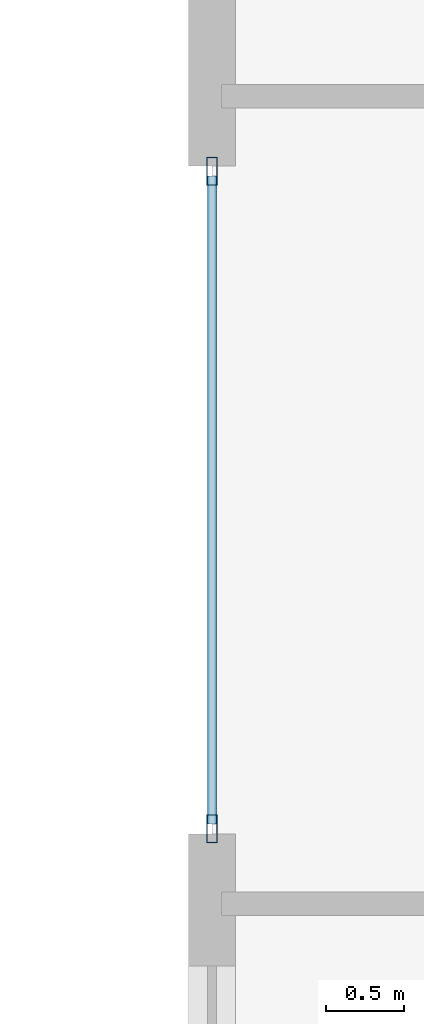
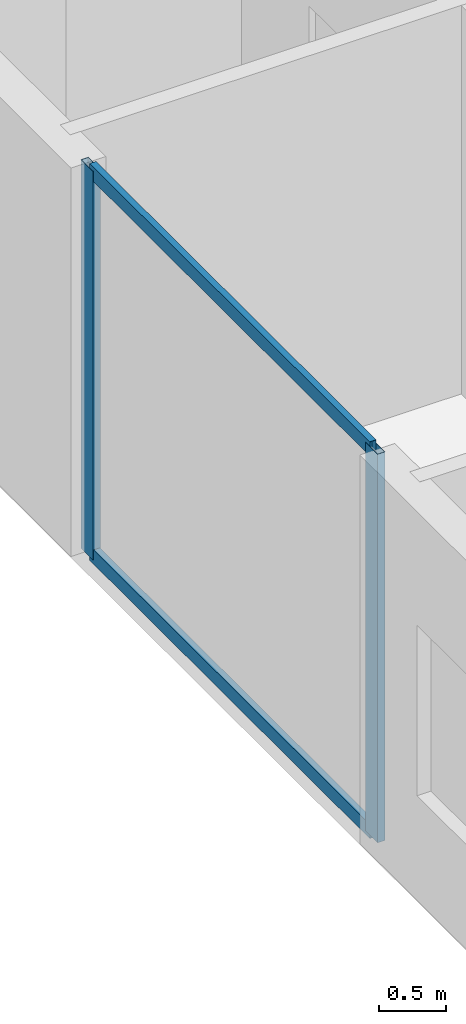
# One storey, part 4 of 32: 4 members, 1 element without a shape of its own.
"""IFC4 building model written with IfcOpenShell, lengths in metres."""

from ifc_helpers import new_model, si_unit, direction, frame, origin, origin_2d, place, context, subcontext, project, spatial, hollow_rectangle, extrude, material, layer, layer_set, material_profile, profile_set, type_object, element, aggregate, save


model = new_model("IFC4")

# Units and contexts
model_context = context("Model", 3, precision=1e-05, world=origin(), true_north=direction((0.0, 1.0)))
body_context = subcontext(model_context, "Body", "Model", "MODEL_VIEW")
ifc_project = project(units=[si_unit("LENGTHUNIT", "METRE"), si_unit("AREAUNIT", "SQUARE_METRE"), si_unit("VOLUMEUNIT", "CUBIC_METRE"), si_unit("PLANEANGLEUNIT", "RADIAN"), si_unit("MASSUNIT", "GRAM", prefix="KILO")], contexts=[model_context])

# Site, building, storey
site_placement = place(None, origin())
site = spatial("IfcSite", under=ifc_project, at=site_placement, CompositionType="ELEMENT")
building_placement = place(site_placement, origin())
building = spatial("IfcBuilding", under=site, at=building_placement, Name="Zuhayl Quay Hotel", CompositionType="ELEMENT")
storey_placement = place(building_placement, frame((0.0, 0.0, 196.14990234375)))
storey = spatial("IfcBuildingStorey", under=building, at=storey_placement, Name="L49", CompositionType="ELEMENT", Elevation=196.14990234375)

# Curtain wall, members
ifc_material_1 = material(Name="Anodised Aluminium 6063-T6", Category="aluminium")
ifc_layer = layer(ifc_material_1, 0.175048828125, Name="Anodised Aluminium 6063-T6", Category="aluminium")
ifc_layer_set = layer_set([ifc_layer], Name="Anodised Aluminium 6063-T6")
curtain_wall_type = type_object("IfcCurtainWallType", Name="CW_SYS_Z3", PredefinedType="USERDEFINED", material=ifc_layer_set)
curtain_wall_placement = place(storey_placement, origin())
curtain_wall = element("IfcCurtainWall", 1, at=curtain_wall_placement, inside=storey, type_object=curtain_wall_type, Name="L49 Curtain Wall ENV_L49_E02_CW1", ObjectType="UNITISED CURTAIN WALL", PredefinedType="USERDEFINED")
ifc_material_2 = material(Name="Black-anodised aluminium 6063-T6", Category="aluminium")
ifc_material_profile_1 = material_profile(ifc_material_2, hollow_rectangle(XDim=0.06494140625, YDim=0.179931640625, WallThickness=0.00341796875, at=origin_2d()), Name="ALU180X65")
ifc_profile_set_1 = profile_set([ifc_material_profile_1], Name="Black-anodised aluminium 6063-T6")
member_type_1 = type_object("IfcMemberType", Name="MB_CW_MUL_180", PredefinedType="MULLION", material=ifc_profile_set_1)
member_1_placement = place(storey_placement, frame((-22.10009765625, 2.032470703125, 0.0), z_axis=(0.0, 0.0, 1.0), x_axis=(-1.0, 0.0, 0.0)))
member_1 = element("IfcMember", 2, at=member_1_placement, type_object=member_type_1, Name="CW-Z3 mullion 1", PredefinedType="MULLION", context=body_context, shape_type="SweptSolid", body=[
    extrude(hollow_rectangle(XDim=0.06494140625, YDim=0.179931640625, WallThickness=0.00341796875, at=origin_2d()), origin(), (0.0, 0.0, 1.0), 3.530029296875),
])
member_2_placement = place(storey_placement, frame((-22.10009765625, 6.267578125, 0.0), z_axis=(0.0, 0.0, 1.0), x_axis=(-1.0, 0.0, 0.0)))
member_2 = element("IfcMember", 3, at=member_2_placement, type_object=member_type_1, Name="CW-Z3 mullion 2", PredefinedType="MULLION", context=body_context, shape_type="SweptSolid", body=[
    extrude(hollow_rectangle(XDim=0.06494140625, YDim=0.179931640625, WallThickness=0.00341796875, at=origin_2d()), origin(), (0.0, 0.0, 1.0), 3.530029296875),
])
ifc_material_profile_2 = material_profile(ifc_material_2, hollow_rectangle(XDim=0.054931640625, YDim=0.1298828125, WallThickness=0.0029296875, at=origin_2d()), Name="ALU130X55")
ifc_profile_set_2 = profile_set([ifc_material_profile_2], Name="Black-anodised aluminium 6063-T6")
member_type_2 = type_object("IfcMemberType", Name="MB_CW_TRN_130", PredefinedType="USERDEFINED", material=ifc_profile_set_2)
member_3_placement = place(storey_placement, frame((-22.10009765625, 2.06494140625, 0.027587890625), z_axis=(0.0, 1.0, 0.0), x_axis=(-1.0, 0.0, 0.0)))
member_3 = element("IfcMember", 4, at=member_3_placement, type_object=member_type_2, Name="CW-Z3 transom 1.1", ObjectType="TRANSOM", PredefinedType="USERDEFINED", context=body_context, shape_type="SweptSolid", body=[
    extrude(hollow_rectangle(XDim=0.054931640625, YDim=0.1298828125, WallThickness=0.0029296875, at=origin_2d()), origin(), (0.0, 0.0, 1.0), 4.170166015625),
])
member_4_placement = place(storey_placement, frame((-22.10009765625, 2.06494140625, 3.502685546875), z_axis=(0.0, 1.0, 0.0), x_axis=(-1.0, 0.0, 0.0)))
member_4 = element("IfcMember", 5, at=member_4_placement, type_object=member_type_2, Name="CW-Z3 transom 1.2", ObjectType="TRANSOM", PredefinedType="USERDEFINED", context=body_context, shape_type="SweptSolid", body=[
    extrude(hollow_rectangle(XDim=0.054931640625, YDim=0.1298828125, WallThickness=0.0029296875, at=origin_2d()), origin(), (0.0, 0.0, 1.0), 4.170166015625),
])
aggregate(curtain_wall, [member_1, member_2, member_3, member_4])

save(model, "model.ifc")
